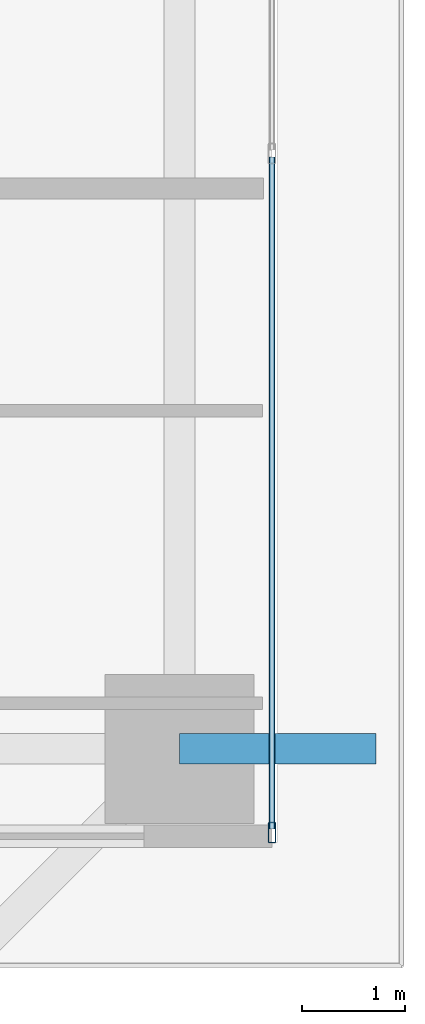
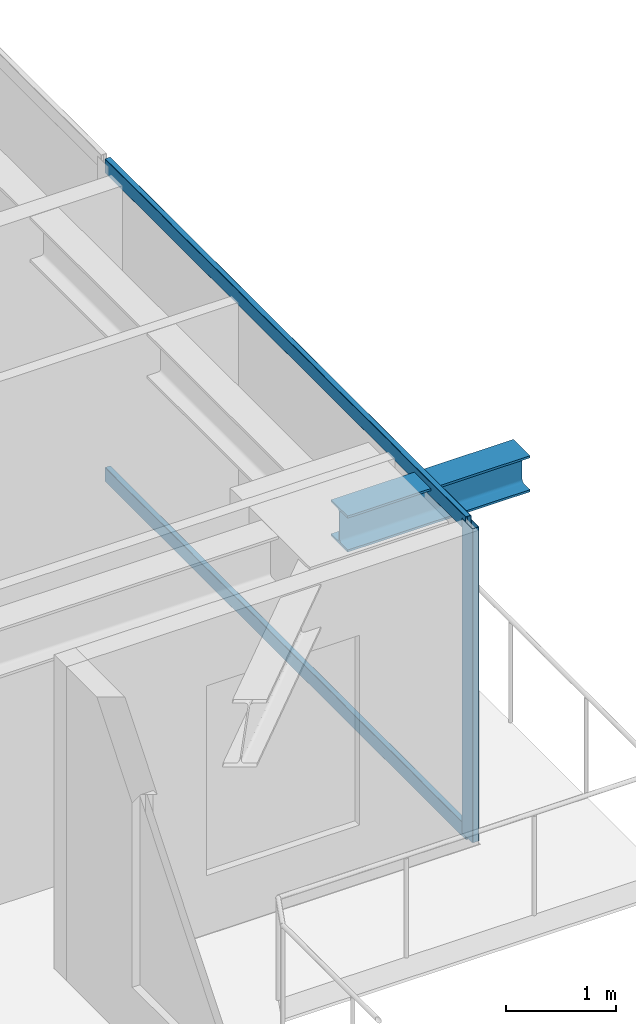
# One storey, part 12 of 35: 3 members, 1 beam, 1 element without a shape of its own.
"""IFC4 building model written with IfcOpenShell, lengths in metres."""

from ifc_helpers import new_model, si_unit, direction, frame, origin, origin_2d, place, context, subcontext, project, spatial, hollow_rectangle, i_section, extrude, source, transform, mapped, material, layer, layer_set, material_profile, profile_set, type_object, element, aggregate, save


model = new_model("IFC4")

# Units and contexts
model_context = context("Model", 3, precision=1e-05, world=origin(), true_north=direction((0.0, 1.0)))
body_context = subcontext(model_context, "Body", "Model", "MODEL_VIEW")
ifc_project = project(units=[si_unit("LENGTHUNIT", "METRE"), si_unit("AREAUNIT", "SQUARE_METRE"), si_unit("VOLUMEUNIT", "CUBIC_METRE"), si_unit("PLANEANGLEUNIT", "RADIAN"), si_unit("MASSUNIT", "GRAM", prefix="KILO")], contexts=[model_context])

# Site, building, storey
site_placement = place(None, origin())
site = spatial("IfcSite", under=ifc_project, at=site_placement, CompositionType="ELEMENT")
building_placement = place(site_placement, origin())
building = spatial("IfcBuilding", under=site, at=building_placement, Name="Serunith Strait Residences", CompositionType="ELEMENT")
storey_placement = place(building_placement, frame((0.0, 0.0, 71.699951171875)))
storey = spatial("IfcBuildingStorey", under=building, at=storey_placement, Name="L17", CompositionType="ELEMENT", Elevation=71.699951171875)

# Beam
ifc_material_1 = material(Name="Steel S355J2", Category="steel")
ifc_material_profile_1 = material_profile(ifc_material_1, i_section(OverallWidth=0.300048828125, OverallDepth=0.39990234375, WebThickness=0.013427734375, FlangeThickness=0.02392578125, FilletRadius=0.027099609375, at=origin_2d()), Name="HEB 400")
ifc_profile_set_1 = profile_set([ifc_material_profile_1], Name="Steel S355J2")
beam_type = type_object("IfcBeamType", Name="BM-HEB400", PredefinedType="BEAM", material=ifc_profile_set_1)
shared_shape_1 = source(origin(), body_context, "Body", "SweptSolid", [
    extrude(i_section(OverallWidth=0.300048828125, OverallDepth=0.39990234375, WebThickness=0.013427734375, FlangeThickness=0.02392578125, FilletRadius=0.027099609375, at=origin_2d()), origin(), (0.0, 0.0, 1.0), 1.91015625),
])
beam_placement = place(storey_placement, frame((57.89990234375, 9.449951171875, 3.257080078125), z_axis=(1.0, 0.0, 0.0), x_axis=(0.0, 1.0, 0.0)))
element("IfcBeam", 1, at=beam_placement, inside=storey, type_object=beam_type, Name="L18 Cantilevered Balcony Rib TC-E1", PredefinedType="BEAM", context=body_context, shape_type="MappedRepresentation", body=[
    mapped(shared_shape_1, transform((0.0, 0.0, 0.0), scale=1.0)),
])

# Curtain wall, members
ifc_material_2 = material(Name="Pale-Champagne Anodised Aluminium", Category="aluminium")
ifc_layer = layer(ifc_material_2, 0.199951171875, Name="Pale-Champagne Anodised Aluminium")
ifc_layer_set = layer_set([ifc_layer], Name="Pale-Champagne Anodised Aluminium")
curtain_wall_type = type_object("IfcCurtainWallType", Name="CW-SYS1", PredefinedType="NOTDEFINED", material=ifc_layer_set)
curtain_wall_placement = place(storey_placement, origin())
curtain_wall = element("IfcCurtainWall", 2, at=curtain_wall_placement, inside=storey, type_object=curtain_wall_type, Name="L17 E Unitised Fritted Curtain Wall", PredefinedType="NOTDEFINED")
ifc_material_profile_2 = material_profile(ifc_material_2, hollow_rectangle(XDim=0.070068359375, YDim=0.199951171875, WallThickness=0.00390625, InnerFilletRadius=0.006103515625, OuterFilletRadius=0.010009765625, at=origin_2d()), Name="ALU 200x70x4")
ifc_profile_set_2 = profile_set([ifc_material_profile_2], Name="Pale-Champagne Anodised Aluminium")
member_type_1 = type_object("IfcMemberType", Name="CW-SYS1-MULL", PredefinedType="MULLION", material=ifc_profile_set_2)
shared_shape_2 = source(origin(), body_context, "Body", "SweptSolid", [
    extrude(hollow_rectangle(XDim=0.070068359375, YDim=0.199951171875, WallThickness=0.00390625, InnerFilletRadius=0.006103515625, OuterFilletRadius=0.010009765625, at=origin_2d()), origin(), (0.0, 0.0, 1.0), 3.47509765625),
])
member_1_placement = place(storey_placement, frame((58.800048828125, 8.635009765625, 0.0), z_axis=(0.0, 0.0, 1.0), x_axis=(-1.0, 0.0, 0.0)))
member_1 = element("IfcMember", 3, at=member_1_placement, type_object=member_type_1, Name="CW-1 mullion 1", PredefinedType="MULLION", context=body_context, shape_type="MappedRepresentation", body=[
    mapped(shared_shape_2, transform((0.0, 0.0, 0.0), scale=1.0)),
])
ifc_material_profile_3 = material_profile(ifc_material_2, hollow_rectangle(XDim=0.06005859375, YDim=0.159912109375, WallThickness=0.00341796875, InnerFilletRadius=0.00537109375, OuterFilletRadius=0.0087890625, at=origin_2d()), Name="ALU 160x60x3.5")
ifc_profile_set_3 = profile_set([ifc_material_profile_3], Name="Pale-Champagne Anodised Aluminium")
member_type_2 = type_object("IfcMemberType", Name="CW-SYS1-TRAN", PredefinedType="USERDEFINED", material=ifc_profile_set_3)
shared_shape_3 = source(origin(), body_context, "Body", "SweptSolid", [
    extrude(hollow_rectangle(XDim=0.06005859375, YDim=0.159912109375, WallThickness=0.00341796875, InnerFilletRadius=0.00537109375, OuterFilletRadius=0.0087890625, at=origin_2d()), origin(), (0.0, 0.0, 1.0), 6.53515625),
])
member_2_placement = place(storey_placement, frame((58.800048828125, 8.669921875, 0.030029296875), z_axis=(0.0, 1.0, 0.0), x_axis=(-1.0, 0.0, 0.0)))
member_2 = element("IfcMember", 4, at=member_2_placement, type_object=member_type_2, Name="CW-1 transom 1.1", ObjectType="TRANSOM", PredefinedType="USERDEFINED", context=body_context, shape_type="MappedRepresentation", body=[
    mapped(shared_shape_3, transform((0.0, 0.0, 0.0), scale=1.0)),
])
member_3_placement = place(storey_placement, frame((58.800048828125, 8.669921875, 3.445068359375), z_axis=(0.0, 1.0, 0.0), x_axis=(-1.0, 0.0, 0.0)))
member_3 = element("IfcMember", 5, at=member_3_placement, type_object=member_type_2, Name="CW-1 transom 1.2", ObjectType="TRANSOM", PredefinedType="USERDEFINED", context=body_context, shape_type="MappedRepresentation", body=[
    mapped(shared_shape_3, transform((0.0, 0.0, 0.0), scale=1.0)),
])
aggregate(curtain_wall, [member_1, member_2, member_3])

save(model, "model.ifc")
